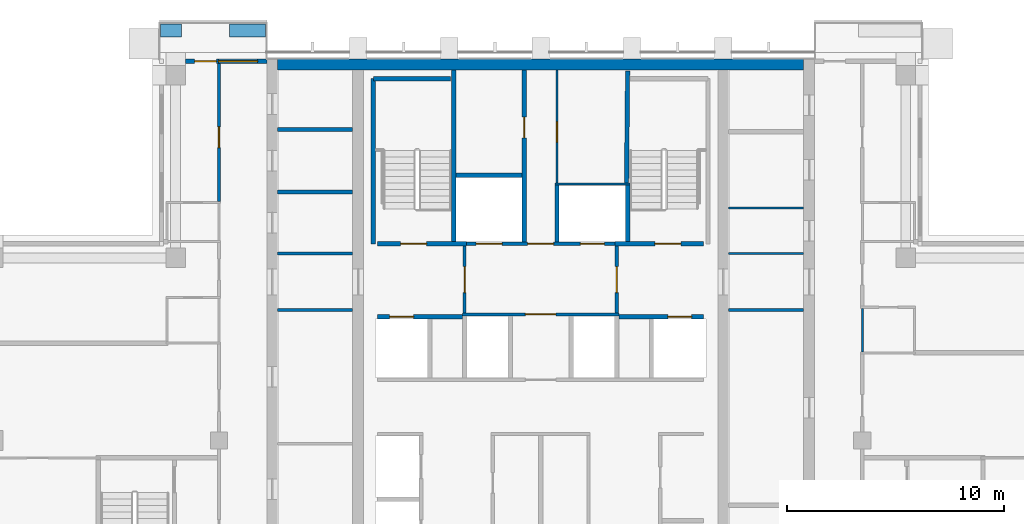
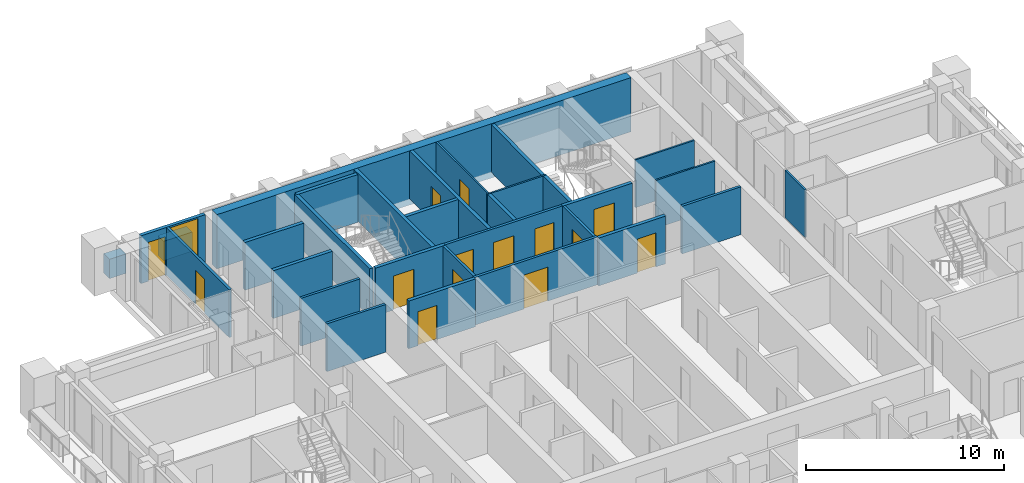
# One storey, part 12 of 18: 31 walls, 14 doors, 1 window, 15 openings.
"""IFC4 building model written with IfcOpenShell, lengths in metres."""

from ifc_helpers import new_model, si_unit, direction, frame, frame_2d, origin, place, context, subcontext, project, spatial, rectangle, extrude, material, layer, layer_set, type_object, element, fill, save


model = new_model("IFC4")

# Units and contexts
model_context = context("Model", 3, precision=1e-05, world=origin(), true_north=direction((0.0, 1.0)))
body_context = subcontext(model_context, "Body", "Model", "MODEL_VIEW")
ifc_project = project(units=[si_unit("LENGTHUNIT", "METRE"), si_unit("AREAUNIT", "SQUARE_METRE"), si_unit("VOLUMEUNIT", "CUBIC_METRE"), si_unit("PLANEANGLEUNIT", "RADIAN"), si_unit("MASSUNIT", "GRAM", prefix="KILO")], contexts=[model_context])

# Site, building, storey
site_placement = place(None, origin())
site = spatial("IfcSite", under=ifc_project, at=site_placement, CompositionType="ELEMENT")
building_placement = place(site_placement, origin())
building = spatial("IfcBuilding", under=site, at=building_placement, Name="Vermilion Ogive Tower", CompositionType="ELEMENT")
storey_placement = place(building_placement, frame((0.0, 0.0, 261.39990234375)))
storey = spatial("IfcBuildingStorey", under=building, at=storey_placement, Name="L69", CompositionType="ELEMENT", Elevation=261.39990234375)

# Walls
ifc_material_1 = material(Name="Concrete B60", Category="concrete")
ifc_layer_1 = layer(ifc_material_1, 0.5)
ifc_layer_set_1 = layer_set([ifc_layer_1], Name="Core wall 500 B60")
wall_type_1 = type_object("IfcWallType", Name="Core wall 500 B60", PredefinedType="SHEAR", material=ifc_layer_set_1)
wall_1_placement = place(storey_placement, frame((-12.10009765625, 21.5, -0.39990234375), z_axis=(0.0, 0.0, 1.0), x_axis=(1.0, 0.0, 0.0)))
element("IfcWall", 1, at=wall_1_placement, inside=storey, type_object=wall_type_1, Name="L69-CORE-N", PredefinedType="SHEAR", context=body_context, shape_type="SweptSolid", body=[
    extrude(rectangle(XDim=24.2001953125, YDim=0.5, at=frame_2d((12.10009765625, 0.0))), origin(), (0.0, 0.0, 1.0), 3.35009765625),
])
ifc_material_2 = material(Name="Gypsum board partition on steel studs", Category="steel")
ifc_layer_2 = layer(ifc_material_2, 0.10009765625)
ifc_layer_set_2 = layer_set([ifc_layer_2], Name="Partition 100 bath")
wall_type_2 = type_object("IfcWallType", Name="Partition 100 bath", PredefinedType="PARTITIONING", material=ifc_layer_set_2)
wall_2_placement = place(storey_placement, frame((14.800048828125, 8.280029296875, 0.0), z_axis=(0.0, 0.0, 1.0), x_axis=(0.0, 1.0, 0.0)))
element("IfcWall", 2, at=wall_2_placement, inside=storey, type_object=wall_type_2, Name="L69-W-W059", PredefinedType="PARTITIONING", context=body_context, shape_type="SweptSolid", body=[
    extrude(rectangle(XDim=2.0, YDim=0.10009765625, at=frame_2d((1.0, 0.0))), origin(), (0.0, 0.0, 1.0), 2.9501953125),
])
wall_3_placement = place(storey_placement, frame((0.64990234375, 16.0, 0.0), z_axis=(0.0, 0.0, 1.0), x_axis=(1.0, 0.0, 0.0)))
element("IfcWall", 3, at=wall_3_placement, inside=storey, type_object=wall_type_2, Name="L69-CK-W-W018", PredefinedType="PARTITIONING", context=body_context, shape_type="SweptSolid", body=[
    extrude(rectangle(XDim=3.4501953125, YDim=0.10009765625, at=frame_2d((1.72509765625, 0.0))), origin(), (0.0, 0.0, 1.0), 2.9501953125),
])

# Wall, opening, door
wall_4_placement = place(storey_placement, frame((0.75, 16.050048828125, 0.0), z_axis=(0.0, 0.0, 1.0), x_axis=(0.0, 1.0, 0.0)))
wall_4 = element("IfcWall", 4, at=wall_4_placement, inside=storey, type_object=wall_type_2, Name="L69-CK-W-W030", PredefinedType="PARTITIONING", context=body_context, shape_type="SweptSolid", body=[
    extrude(rectangle(XDim=5.198974609375, YDim=0.10009765625, at=frame_2d((2.599609375, 0.0))), origin(), (0.0, 0.0, 1.0), 2.9501953125),
])
opening_1_placement = place(wall_4_placement, frame((1.875, 0.0, 0.0)))
opening_1 = element("IfcOpeningElement", 5, at=opening_1_placement, cuts=wall_4, Name="Opening DAA668", PredefinedType="OPENING", context=body_context, shape_type="SweptSolid", body=[
    extrude(rectangle(XDim=0.949951171875, YDim=2.10009765625, at=frame_2d((0.47509765625, 1.050048828125))), frame((0.0, 0.06005859375, 0.0), z_axis=(0.0, -1.0, 0.0), x_axis=(1.0, 0.0, 0.0)), (0.0, 0.0, 1.0), 0.1201171875),
])
ifc_material_3 = material(Name="Timber door leaf", Category="wood")
door_type_1 = type_object("IfcDoorType", Name="Service door 950 x 2100 FD60", OperationType="SINGLE_SWING_LEFT", PredefinedType="DOOR", material=ifc_material_3)
door_1_placement = place(opening_1_placement, origin())
door_1 = element("IfcDoor", 6, at=door_1_placement, inside=storey, type_object=door_type_1, Name="L69-CK-D-D022", OperationType="SINGLE_SWING_LEFT", OverallHeight=2.10009765625, OverallWidth=0.949951171875, PredefinedType="DOOR", context=body_context, shape_type="SweptSolid", body=[
    extrude(rectangle(XDim=0.949951171875, YDim=2.10009765625, at=frame_2d((0.47509765625, 1.050048828125))), frame((0.0, 0.02490234375, 0.0), z_axis=(0.0, -1.0, 0.0), x_axis=(1.0, 0.0, 0.0)), (0.0, 0.0, 1.0), 0.050048828125),
])
fill(opening_1, door_1)

# Walls
for number, where, z_axis, x_axis, name in (
    (7, (8.65087890625, 12.800048828125, 0.0), (0.0, 0.0, 1.0), (1.0, 0.0, 0.0), "L69-CKE-W-W003"),
    (8, (8.65087890625, 14.89111328125, 0.0), (0.0, 0.0, 1.0), (1.0, 0.0, 0.0), "L69-CKE-W-W004"),
):
    element("IfcWall", number, at=place(storey_placement, frame(where, z_axis=z_axis, x_axis=x_axis)), inside=storey, type_object=wall_type_2, Name=name, PredefinedType="PARTITIONING", context=body_context, shape_type="SweptSolid", body=[
        extrude(rectangle(XDim=3.4482421875, YDim=0.10009765625, at=frame_2d((1.72412109375, 0.0))), origin(), (0.0, 0.0, 1.0), 2.9501953125),
    ])

# Wall, opening, door
ifc_material_4 = material(Name="Gypsum board partition on steel studs", Category="steel")
ifc_layer_3 = layer(ifc_material_4, 0.14990234375)
ifc_layer_set_3 = layer_set([ifc_layer_3], Name="Partition 150 corridor")
wall_type_3 = type_object("IfcWallType", Name="Partition 150 corridor", PredefinedType="PARTITIONING", material=ifc_layer_set_3)
wall_5_placement = place(storey_placement, frame((-14.800048828125, 15.199951171875, 0.0), z_axis=(0.0, 0.0, 1.0), x_axis=(0.0, 1.0, 0.0)))
wall_5 = element("IfcWall", 9, at=wall_5_placement, inside=storey, type_object=wall_type_3, Name="L69-W-W051", PredefinedType="PARTITIONING", context=body_context, shape_type="SweptSolid", body=[
    extrude(rectangle(XDim=6.35009765625, YDim=0.14990234375, at=frame_2d((3.175048828125, 0.0))), origin(), (0.0, 0.0, 1.0), 2.9501953125),
])
opening_2_placement = place(wall_5_placement, frame((2.47509765625, 0.0, 0.0)))
opening_2 = element("IfcOpeningElement", 10, at=opening_2_placement, cuts=wall_5, Name="Opening D5G6008", PredefinedType="OPENING", context=body_context, shape_type="SweptSolid", body=[
    extrude(rectangle(XDim=0.949951171875, YDim=2.10009765625, at=frame_2d((0.47509765625, 1.050048828125))), frame((0.0, 0.0849609375, 0.0), z_axis=(0.0, -1.0, 0.0), x_axis=(1.0, 0.0, 0.0)), (0.0, 0.0, 1.0), 0.169921875),
])
ifc_material_5 = material(Name="Timber door leaf", Category="wood")
door_type_2 = type_object("IfcDoorType", Name="Unit door 950 x 2100 FD30S", OperationType="SINGLE_SWING_LEFT", PredefinedType="DOOR", material=ifc_material_5)
door_2_placement = place(opening_2_placement, origin())
door_2 = element("IfcDoor", 11, at=door_2_placement, inside=storey, type_object=door_type_2, Name="L69-D-D008", OperationType="SINGLE_SWING_RIGHT", OverallHeight=2.10009765625, OverallWidth=0.949951171875, PredefinedType="DOOR", context=body_context, shape_type="SweptSolid", body=[
    extrude(rectangle(XDim=0.949951171875, YDim=2.10009765625, at=frame_2d((0.47509765625, 1.050048828125))), frame((0.0, 0.02490234375, 0.0), z_axis=(0.0, -1.0, 0.0), x_axis=(1.0, 0.0, 0.0)), (0.0, 0.0, 1.0), 0.050048828125),
])
fill(opening_2, door_2)

wall_6_placement = place(storey_placement, frame((-3.60009765625, 10.0, 0.0), z_axis=(0.0, 0.0, 1.0), x_axis=(1.0, 0.0, 0.0)))
wall_6 = element("IfcWall", 12, at=wall_6_placement, inside=storey, type_object=wall_type_3, Name="L69-CK-W-W014", PredefinedType="PARTITIONING", context=body_context, shape_type="SweptSolid", body=[
    extrude(rectangle(XDim=7.2001953125, YDim=0.14990234375, at=frame_2d((3.60009765625, 0.0))), origin(), (0.0, 0.0, 1.0), 2.9501953125),
])
opening_3_placement = place(wall_6_placement, frame((2.900146484375, 0.0, 0.0)))
opening_3 = element("IfcOpeningElement", 13, at=opening_3_placement, cuts=wall_6, Name="Opening DAA659", PredefinedType="OPENING", context=body_context, shape_type="SweptSolid", body=[
    extrude(rectangle(XDim=1.39990234375, YDim=2.10009765625, at=frame_2d((0.699951171875, 1.050048828125))), frame((0.0, 0.0849609375, 0.0), z_axis=(0.0, -1.0, 0.0), x_axis=(1.0, 0.0, 0.0)), (0.0, 0.0, 1.0), 0.169921875),
])
ifc_material_6 = material(Name="Timber door leaf", Category="wood")
door_type_3 = type_object("IfcDoorType", Name="Lobby door 1400 x 2100 FD60S", OperationType="SINGLE_SWING_LEFT", PredefinedType="DOOR", material=ifc_material_6)
door_3_placement = place(opening_3_placement, origin())
door_3 = element("IfcDoor", 14, at=door_3_placement, inside=storey, type_object=door_type_3, Name="L69-CK-D-D017", OperationType="SINGLE_SWING_RIGHT", OverallHeight=2.10009765625, OverallWidth=1.39990234375, PredefinedType="DOOR", context=body_context, shape_type="SweptSolid", body=[
    extrude(rectangle(XDim=1.39990234375, YDim=2.10009765625, at=frame_2d((0.699951171875, 1.050048828125))), frame((0.0, 0.02490234375, 0.0), z_axis=(0.0, -1.0, 0.0), x_axis=(1.0, 0.0, 0.0)), (0.0, 0.0, 1.0), 0.050048828125),
])
fill(opening_3, door_3)

# Wall, openings, doors
wall_7_placement = place(storey_placement, frame((-3.574951171875, 13.25, 0.0), z_axis=(0.0, 0.0, 1.0), x_axis=(1.0, 0.0, 0.0)))
wall_7 = element("IfcWall", 15, at=wall_7_placement, inside=storey, type_object=wall_type_3, Name="L69-CK-W-W016", PredefinedType="PARTITIONING", context=body_context, shape_type="SweptSolid", body=[
    extrude(rectangle(XDim=7.14990234375, YDim=0.14990234375, at=frame_2d((3.574951171875, 0.0))), origin(), (0.0, 0.0, 1.0), 2.9501953125),
])
opening_4_placement = place(wall_7_placement, frame((0.599853515625, 0.0, 0.0)))
opening_4 = element("IfcOpeningElement", 16, at=opening_4_placement, cuts=wall_7, Name="Opening DAA679", PredefinedType="OPENING", context=body_context, shape_type="SweptSolid", body=[
    extrude(rectangle(XDim=1.199951171875, YDim=2.10009765625, at=frame_2d((0.60009765625, 1.050048828125))), frame((0.0, 0.0849609375, 0.0), z_axis=(0.0, -1.0, 0.0), x_axis=(1.0, 0.0, 0.0)), (0.0, 0.0, 1.0), 0.169921875),
])
opening_5_placement = place(wall_7_placement, frame((5.39990234375, 0.0, 0.0)))
opening_5 = element("IfcOpeningElement", 17, at=opening_5_placement, cuts=wall_7, Name="Opening DAA678", PredefinedType="OPENING", context=body_context, shape_type="SweptSolid", body=[
    extrude(rectangle(XDim=1.10009765625, YDim=2.10009765625, at=frame_2d((0.550048828125, 1.050048828125))), frame((0.0, 0.0849609375, 0.0), z_axis=(0.0, -1.0, 0.0), x_axis=(1.0, 0.0, 0.0)), (0.0, 0.0, 1.0), 0.169921875),
])
opening_6_placement = place(wall_7_placement, frame((2.974853515625, 0.0, 0.0)))
opening_6 = element("IfcOpeningElement", 18, at=opening_6_placement, cuts=wall_7, Name="Opening DAA660", PredefinedType="OPENING", context=body_context, shape_type="SweptSolid", body=[
    extrude(rectangle(XDim=1.199951171875, YDim=2.10009765625, at=frame_2d((0.60009765625, 1.050048828125))), frame((0.0, 0.0849609375, 0.0), z_axis=(0.0, -1.0, 0.0), x_axis=(1.0, 0.0, 0.0)), (0.0, 0.0, 1.0), 0.169921875),
])
ifc_material_7 = material(Name="Stainless steel", Category="steel")
door_type_4 = type_object("IfcDoorType", Name="Lift landing door 1100 x 2100", OperationType="SLIDING_TO_LEFT", PredefinedType="DOOR", material=ifc_material_7)
door_4_placement = place(opening_5_placement, origin())
door_4 = element("IfcDoor", 19, at=door_4_placement, inside=storey, type_object=door_type_4, Name="L69-CK-D-D019", OperationType="SLIDING_TO_LEFT", OverallHeight=2.10009765625, OverallWidth=1.10009765625, PredefinedType="DOOR", context=body_context, shape_type="SweptSolid", body=[
    extrude(rectangle(XDim=1.10009765625, YDim=2.10009765625, at=frame_2d((0.550048828125, 1.050048828125))), frame((0.0, 0.02490234375, 0.0), z_axis=(0.0, -1.0, 0.0), x_axis=(1.0, 0.0, 0.0)), (0.0, 0.0, 1.0), 0.050048828125),
])
fill(opening_5, door_4)
ifc_material_8 = material(Name="Stainless steel", Category="steel")
door_type_5 = type_object("IfcDoorType", Name="Lift landing door 1200 x 2100", OperationType="SLIDING_TO_LEFT", PredefinedType="DOOR", material=ifc_material_8)
door_5_placement = place(opening_4_placement, origin())
door_5 = element("IfcDoor", 20, at=door_5_placement, inside=storey, type_object=door_type_5, Name="L69-CK-D-D018", OperationType="SLIDING_TO_RIGHT", OverallHeight=2.10009765625, OverallWidth=1.199951171875, PredefinedType="DOOR", context=body_context, shape_type="SweptSolid", body=[
    extrude(rectangle(XDim=1.199951171875, YDim=2.10009765625, at=frame_2d((0.60009765625, 1.050048828125))), frame((0.0, 0.02490234375, 0.0), z_axis=(0.0, -1.0, 0.0), x_axis=(1.0, 0.0, 0.0)), (0.0, 0.0, 1.0), 0.050048828125),
])
fill(opening_4, door_5)
ifc_material_9 = material(Name="Timber door leaf", Category="wood")
door_type_6 = type_object("IfcDoorType", Name="Service door 1200 x 2100 FD60", OperationType="SINGLE_SWING_LEFT", PredefinedType="DOOR", material=ifc_material_9)
door_6_placement = place(opening_6_placement, origin())
door_6 = element("IfcDoor", 21, at=door_6_placement, inside=storey, type_object=door_type_6, Name="L69-CK-D-D020", OperationType="SINGLE_SWING_RIGHT", OverallHeight=2.10009765625, OverallWidth=1.199951171875, PredefinedType="DOOR", context=body_context, shape_type="SweptSolid", body=[
    extrude(rectangle(XDim=1.199951171875, YDim=2.10009765625, at=frame_2d((0.60009765625, 1.050048828125))), frame((0.0, 0.02490234375, 0.0), z_axis=(0.0, -1.0, 0.0), x_axis=(1.0, 0.0, 0.0)), (0.0, 0.0, 1.0), 0.050048828125),
])
fill(opening_6, door_6)

# Wall, opening, door
wall_8_placement = place(storey_placement, frame((-3.5, 10.074951171875, 0.0), z_axis=(0.0, 0.0, 1.0), x_axis=(0.0, 1.0, 0.0)))
wall_8 = element("IfcWall", 22, at=wall_8_placement, inside=storey, type_object=wall_type_3, Name="L69-CK-W-W024", PredefinedType="PARTITIONING", context=body_context, shape_type="SweptSolid", body=[
    extrude(rectangle(XDim=3.074951171875, YDim=0.14990234375, at=frame_2d((1.53759765625, 0.0))), origin(), (0.0, 0.0, 1.0), 2.9501953125),
])
opening_7_placement = place(wall_8_placement, frame((0.925048828125, 0.0, 0.0)))
opening_7 = element("IfcOpeningElement", 23, at=opening_7_placement, cuts=wall_8, Name="Opening DAA656", PredefinedType="OPENING", context=body_context, shape_type="SweptSolid", body=[
    extrude(rectangle(XDim=1.199951171875, YDim=2.10009765625, at=frame_2d((0.60009765625, 1.050048828125))), frame((0.0, 0.0849609375, 0.0), z_axis=(0.0, -1.0, 0.0), x_axis=(1.0, 0.0, 0.0)), (0.0, 0.0, 1.0), 0.169921875),
])
ifc_material_10 = material(Name="Timber door leaf", Category="wood")
door_type_7 = type_object("IfcDoorType", Name="Lobby door 1200 x 2100 FD60S", OperationType="SINGLE_SWING_LEFT", PredefinedType="DOOR", material=ifc_material_10)
door_7_placement = place(opening_7_placement, origin())
door_7 = element("IfcDoor", 24, at=door_7_placement, inside=storey, type_object=door_type_7, Name="L69-CK-D-D023", OperationType="SINGLE_SWING_RIGHT", OverallHeight=2.10009765625, OverallWidth=1.199951171875, PredefinedType="DOOR", context=body_context, shape_type="SweptSolid", body=[
    extrude(rectangle(XDim=1.199951171875, YDim=2.10009765625, at=frame_2d((0.60009765625, 1.050048828125))), frame((0.0, 0.02490234375, 0.0), z_axis=(0.0, -1.0, 0.0), x_axis=(1.0, 0.0, 0.0)), (0.0, 0.0, 1.0), 0.050048828125),
])
fill(opening_7, door_7)

wall_9_placement = place(storey_placement, frame((3.5, 10.074951171875, 0.0), z_axis=(0.0, 0.0, 1.0), x_axis=(0.0, 1.0, 0.0)))
wall_9 = element("IfcWall", 25, at=wall_9_placement, inside=storey, type_object=wall_type_3, Name="L69-CK-W-W034", PredefinedType="PARTITIONING", context=body_context, shape_type="SweptSolid", body=[
    extrude(rectangle(XDim=3.074951171875, YDim=0.14990234375, at=frame_2d((1.53759765625, 0.0))), origin(), (0.0, 0.0, 1.0), 2.9501953125),
])
opening_8_placement = place(wall_9_placement, frame((0.925048828125, 0.0, 0.0)))
opening_8 = element("IfcOpeningElement", 26, at=opening_8_placement, cuts=wall_9, Name="Opening DAA657", PredefinedType="OPENING", context=body_context, shape_type="SweptSolid", body=[
    extrude(rectangle(XDim=1.199951171875, YDim=2.10009765625, at=frame_2d((0.60009765625, 1.050048828125))), frame((0.0, 0.0849609375, 0.0), z_axis=(0.0, -1.0, 0.0), x_axis=(1.0, 0.0, 0.0)), (0.0, 0.0, 1.0), 0.169921875),
])
door_8_placement = place(opening_8_placement, origin())
door_8 = element("IfcDoor", 27, at=door_8_placement, inside=storey, type_object=door_type_7, Name="L69-CK-D-D024", OperationType="SINGLE_SWING_LEFT", OverallHeight=2.10009765625, OverallWidth=1.199951171875, PredefinedType="DOOR", context=body_context, shape_type="SweptSolid", body=[
    extrude(rectangle(XDim=1.199951171875, YDim=2.10009765625, at=frame_2d((0.60009765625, 1.050048828125))), frame((0.0, 0.02490234375, 0.0), z_axis=(0.0, -1.0, 0.0), x_axis=(1.0, 0.0, 0.0)), (0.0, 0.0, 1.0), 0.050048828125),
])
fill(opening_8, door_8)

# Walls
for number, where, z_axis, x_axis, name in (
    (28, (-12.09912109375, 10.199951171875, 0.0), (0.0, 0.0, 1.0), (1.0, 0.0, 0.0), "L69-CKW-W-W003"),
    (29, (-12.09912109375, 12.800048828125, 0.0), (0.0, 0.0, 1.0), (1.0, 0.0, 0.0), "L69-CKW-W-W004"),
    (30, (8.65087890625, 10.199951171875, 0.0), (0.0, 0.0, 1.0), (1.0, 0.0, 0.0), "L69-CKE-W-W002"),
):
    element("IfcWall", number, at=place(storey_placement, frame(where, z_axis=z_axis, x_axis=x_axis)), inside=storey, type_object=wall_type_3, Name=name, PredefinedType="PARTITIONING", context=body_context, shape_type="SweptSolid", body=[
        extrude(rectangle(XDim=3.4482421875, YDim=0.14990234375, at=frame_2d((1.72412109375, 0.0))), origin(), (0.0, 0.0, 1.0), 2.9501953125),
    ])

# Wall, opening, door
ifc_material_11 = material(Name="Gypsum board partition on steel studs", Category="steel")
ifc_layer_4 = layer(ifc_material_11, 0.199951171875)
ifc_layer_set_4 = layer_set([ifc_layer_4], Name="Partition 200 party")
wall_type_4 = type_object("IfcWallType", Name="Partition 200 party", PredefinedType="PARTITIONING", material=ifc_layer_set_4)
wall_10_placement = place(storey_placement, frame((-7.5, 9.89990234375, 0.0), z_axis=(0.0, 0.0, 1.0), x_axis=(1.0, 0.0, 0.0)))
wall_10 = element("IfcWall", 31, at=wall_10_placement, inside=storey, type_object=wall_type_4, Name="L69-CK-W-W012", PredefinedType="PARTITIONING", context=body_context, shape_type="SweptSolid", body=[
    extrude(rectangle(XDim=3.89990234375, YDim=0.199951171875, at=frame_2d((1.949951171875, 0.0))), origin(), (0.0, 0.0, 1.0), 2.9501953125),
])
opening_9_placement = place(wall_10_placement, frame((0.550048828125, 0.0, 0.0)))
opening_9 = element("IfcOpeningElement", 32, at=opening_9_placement, cuts=wall_10, Name="Opening DAA676", PredefinedType="OPENING", context=body_context, shape_type="SweptSolid", body=[
    extrude(rectangle(XDim=1.10009765625, YDim=2.10009765625, at=frame_2d((0.550048828125, 1.050048828125))), frame((0.0, 0.10986328125, 0.0), z_axis=(0.0, -1.0, 0.0), x_axis=(1.0, 0.0, 0.0)), (0.0, 0.0, 1.0), 0.219970703125),
])
door_9_placement = place(opening_9_placement, origin())
door_9 = element("IfcDoor", 33, at=door_9_placement, inside=storey, type_object=door_type_4, Name="L69-CK-D-D013", OperationType="SLIDING_TO_RIGHT", OverallHeight=2.10009765625, OverallWidth=1.10009765625, PredefinedType="DOOR", context=body_context, shape_type="SweptSolid", body=[
    extrude(rectangle(XDim=1.10009765625, YDim=2.10009765625, at=frame_2d((0.550048828125, 1.050048828125))), frame((0.0, 0.02490234375, 0.0), z_axis=(0.0, -1.0, 0.0), x_axis=(1.0, 0.0, 0.0)), (0.0, 0.0, 1.0), 0.050048828125),
])
fill(opening_9, door_9)

wall_11_placement = place(storey_placement, frame((3.60009765625, 9.89990234375, 0.0), z_axis=(0.0, 0.0, 1.0), x_axis=(1.0, 0.0, 0.0)))
wall_11 = element("IfcWall", 34, at=wall_11_placement, inside=storey, type_object=wall_type_4, Name="L69-CK-W-W013", PredefinedType="PARTITIONING", context=body_context, shape_type="SweptSolid", body=[
    extrude(rectangle(XDim=3.89990234375, YDim=0.199951171875, at=frame_2d((1.949951171875, 0.0))), origin(), (0.0, 0.0, 1.0), 2.9501953125),
])
opening_10_placement = place(wall_11_placement, frame((2.25, 0.0, 0.0)))
opening_10 = element("IfcOpeningElement", 35, at=opening_10_placement, cuts=wall_11, Name="Opening DAA677", PredefinedType="OPENING", context=body_context, shape_type="SweptSolid", body=[
    extrude(rectangle(XDim=1.10009765625, YDim=2.10009765625, at=frame_2d((0.550048828125, 1.050048828125))), frame((0.0, 0.10986328125, 0.0), z_axis=(0.0, -1.0, 0.0), x_axis=(1.0, 0.0, 0.0)), (0.0, 0.0, 1.0), 0.219970703125),
])
door_10_placement = place(opening_10_placement, origin())
door_10 = element("IfcDoor", 36, at=door_10_placement, inside=storey, type_object=door_type_4, Name="L69-CK-D-D015", OperationType="SLIDING_TO_LEFT", OverallHeight=2.10009765625, OverallWidth=1.10009765625, PredefinedType="DOOR", context=body_context, shape_type="SweptSolid", body=[
    extrude(rectangle(XDim=1.10009765625, YDim=2.10009765625, at=frame_2d((0.550048828125, 1.050048828125))), frame((0.0, 0.02490234375, 0.0), z_axis=(0.0, -1.0, 0.0), x_axis=(1.0, 0.0, 0.0)), (0.0, 0.0, 1.0), 0.050048828125),
])
fill(opening_10, door_10)

# Wall
wall_12_placement = place(storey_placement, frame((-3.89990234375, 16.39990234375, 0.0), z_axis=(0.0, 0.0, 1.0), x_axis=(1.0, 0.0, 0.0)))
element("IfcWall", 37, at=wall_12_placement, inside=storey, type_object=wall_type_4, Name="L69-CK-W-W019", PredefinedType="PARTITIONING", context=body_context, shape_type="SweptSolid", body=[
    extrude(rectangle(XDim=3.0498046875, YDim=0.199951171875, at=frame_2d((1.52490234375, 0.0))), origin(), (0.0, 0.0, 1.0), 2.9501953125),
])

# Wall, opening, door
wall_13_placement = place(storey_placement, frame((-0.75, 13.324951171875, 0.0), z_axis=(0.0, 0.0, 1.0), x_axis=(0.0, 1.0, 0.0)))
wall_13 = element("IfcWall", 38, at=wall_13_placement, inside=storey, type_object=wall_type_4, Name="L69-CK-W-W027", PredefinedType="PARTITIONING", context=body_context, shape_type="SweptSolid", body=[
    extrude(rectangle(XDim=7.924072265625, YDim=0.199951171875, at=frame_2d((3.9619140625, 0.0))), origin(), (0.0, 0.0, 1.0), 2.9501953125),
])
opening_11_placement = place(wall_13_placement, frame((4.800048828125, 0.0, 0.0)))
opening_11 = element("IfcOpeningElement", 39, at=opening_11_placement, cuts=wall_13, Name="Opening DAA667", PredefinedType="OPENING", context=body_context, shape_type="SweptSolid", body=[
    extrude(rectangle(XDim=0.949951171875, YDim=2.10009765625, at=frame_2d((0.47509765625, 1.050048828125))), frame((0.0, 0.10986328125, 0.0), z_axis=(0.0, -1.0, 0.0), x_axis=(1.0, 0.0, 0.0)), (0.0, 0.0, 1.0), 0.219970703125),
])
door_11_placement = place(opening_11_placement, origin())
door_11 = element("IfcDoor", 40, at=door_11_placement, inside=storey, type_object=door_type_1, Name="L69-CK-D-D021", OperationType="SINGLE_SWING_RIGHT", OverallHeight=2.10009765625, OverallWidth=0.949951171875, PredefinedType="DOOR", context=body_context, shape_type="SweptSolid", body=[
    extrude(rectangle(XDim=0.949951171875, YDim=2.10009765625, at=frame_2d((0.47509765625, 1.050048828125))), frame((0.0, 0.02490234375, 0.0), z_axis=(0.0, -1.0, 0.0), x_axis=(1.0, 0.0, 0.0)), (0.0, 0.0, 1.0), 0.050048828125),
])
fill(opening_11, door_11)

# Walls
wall_14_placement = place(storey_placement, frame((0.75, 13.324951171875, 0.0), z_axis=(0.0, 0.0, 1.0), x_axis=(0.0, 1.0, 0.0)))
element("IfcWall", 41, at=wall_14_placement, inside=storey, type_object=wall_type_4, Name="L69-CK-W-W029", PredefinedType="PARTITIONING", context=body_context, shape_type="SweptSolid", body=[
    extrude(rectangle(XDim=2.625, YDim=0.199951171875, at=frame_2d((1.3125, 0.0))), origin(), (0.0, 0.0, 1.0), 2.9501953125),
])
for number, where, z_axis, x_axis, name in (
    (42, (-12.09912109375, 15.636962890625, 0.0), (0.0, 0.0, 1.0), (1.0, 0.0, 0.0), "L69-CKW-W-W005"),
    (43, (-12.09912109375, 18.509033203125, 0.0), (0.0, 0.0, 1.0), (1.0, 0.0, 0.0), "L69-CKW-W-W006"),
):
    element("IfcWall", number, at=place(storey_placement, frame(where, z_axis=z_axis, x_axis=x_axis)), inside=storey, type_object=wall_type_4, Name=name, PredefinedType="PARTITIONING", context=body_context, shape_type="SweptSolid", body=[
        extrude(rectangle(XDim=3.4482421875, YDim=0.199951171875, at=frame_2d((1.72412109375, 0.0))), origin(), (0.0, 0.0, 1.0), 2.9501953125),
    ])

# Wall, opening, door
ifc_material_12 = material(Name="Concrete B60", Category="concrete")
ifc_layer_5 = layer(ifc_material_12, 0.199951171875)
ifc_layer_set_5 = layer_set([ifc_layer_5], Name="Stair shaft wall 200 Concrete B60")
wall_type_5 = type_object("IfcWallType", Name="Stair shaft wall 200 Concrete B60", PredefinedType="SOLIDWALL", material=ifc_layer_set_5)
wall_15_placement = place(storey_placement, frame((-7.5, 13.25, 0.0), z_axis=(0.0, 0.0, 1.0), x_axis=(1.0, 0.0, 0.0)))
wall_15 = element("IfcWall", 44, at=wall_15_placement, inside=storey, type_object=wall_type_5, Name="L69-CK-W-W015", PredefinedType="SOLIDWALL", context=body_context, shape_type="SweptSolid", body=[
    extrude(rectangle(XDim=4.074951171875, YDim=0.199951171875, at=frame_2d((2.03759765625, 0.0))), origin(), (0.0, 0.0, 1.0), 2.9501953125),
])
opening_12_placement = place(wall_15_placement, frame((1.050048828125, 0.0, 0.0)))
opening_12 = element("IfcOpeningElement", 45, at=opening_12_placement, cuts=wall_15, Name="Opening DAA669", PredefinedType="OPENING", context=body_context, shape_type="SweptSolid", body=[
    extrude(rectangle(XDim=1.199951171875, YDim=2.10009765625, at=frame_2d((0.60009765625, 1.050048828125))), frame((0.0, 0.10986328125, 0.0), z_axis=(0.0, -1.0, 0.0), x_axis=(1.0, 0.0, 0.0)), (0.0, 0.0, 1.0), 0.219970703125),
])
ifc_material_13 = material(Name="Timber door leaf", Category="wood")
door_type_8 = type_object("IfcDoorType", Name="Stair door 1200 x 2100 FD60S", OperationType="SINGLE_SWING_LEFT", PredefinedType="DOOR", material=ifc_material_13)
door_12_placement = place(opening_12_placement, origin())
door_12 = element("IfcDoor", 46, at=door_12_placement, inside=storey, type_object=door_type_8, Name="L69-CK-D-D012", OperationType="SINGLE_SWING_LEFT", OverallHeight=2.10009765625, OverallWidth=1.199951171875, PredefinedType="DOOR", context=body_context, shape_type="SweptSolid", body=[
    extrude(rectangle(XDim=1.199951171875, YDim=2.10009765625, at=frame_2d((0.60009765625, 1.050048828125))), frame((0.0, 0.02490234375, 0.0), z_axis=(0.0, -1.0, 0.0), x_axis=(1.0, 0.0, 0.0)), (0.0, 0.0, 1.0), 0.050048828125),
])
fill(opening_12, door_12)

wall_16_placement = place(storey_placement, frame((3.425048828125, 13.25, 0.0), z_axis=(0.0, 0.0, 1.0), x_axis=(1.0, 0.0, 0.0)))
wall_16 = element("IfcWall", 47, at=wall_16_placement, inside=storey, type_object=wall_type_5, Name="L69-CK-W-W017", PredefinedType="SOLIDWALL", context=body_context, shape_type="SweptSolid", body=[
    extrude(rectangle(XDim=4.074951171875, YDim=0.199951171875, at=frame_2d((2.03759765625, 0.0))), origin(), (0.0, 0.0, 1.0), 2.9501953125),
])
opening_13_placement = place(wall_16_placement, frame((1.824951171875, 0.0, 0.0)))
opening_13 = element("IfcOpeningElement", 48, at=opening_13_placement, cuts=wall_16, Name="Opening DAA670", PredefinedType="OPENING", context=body_context, shape_type="SweptSolid", body=[
    extrude(rectangle(XDim=1.199951171875, YDim=2.10009765625, at=frame_2d((0.60009765625, 1.050048828125))), frame((0.0, 0.10986328125, 0.0), z_axis=(0.0, -1.0, 0.0), x_axis=(1.0, 0.0, 0.0)), (0.0, 0.0, 1.0), 0.219970703125),
])
door_13_placement = place(opening_13_placement, origin())
door_13 = element("IfcDoor", 49, at=door_13_placement, inside=storey, type_object=door_type_8, Name="L69-CK-D-D014", OperationType="SINGLE_SWING_RIGHT", OverallHeight=2.10009765625, OverallWidth=1.199951171875, PredefinedType="DOOR", context=body_context, shape_type="SweptSolid", body=[
    extrude(rectangle(XDim=1.199951171875, YDim=2.10009765625, at=frame_2d((0.60009765625, 1.050048828125))), frame((0.0, 0.02490234375, 0.0), z_axis=(0.0, -1.0, 0.0), x_axis=(1.0, 0.0, 0.0)), (0.0, 0.0, 1.0), 0.050048828125),
])
fill(opening_13, door_13)

# Walls
wall_17_placement = place(storey_placement, frame((-4.0, 13.35009765625, 0.0), z_axis=(0.0, 0.0, 1.0), x_axis=(0.0, 1.0, 0.0)))
element("IfcWall", 50, at=wall_17_placement, inside=storey, type_object=wall_type_5, Name="L69-CK-W-W022", PredefinedType="SOLIDWALL", context=body_context, shape_type="SweptSolid", body=[
    extrude(rectangle(XDim=7.89892578125, YDim=0.199951171875, at=frame_2d((3.949462890625, 0.0))), origin(), (0.0, 0.0, 1.0), 2.9501953125),
])
wall_18_placement = place(storey_placement, frame((4.0, 13.35009765625, 0.0), z_axis=(0.0, 0.0, 1.0), x_axis=(0.0, 1.0, 0.0)))
element("IfcWall", 51, at=wall_18_placement, inside=storey, type_object=wall_type_5, Name="L69-CK-W-W035", PredefinedType="SOLIDWALL", context=body_context, shape_type="SweptSolid", body=[
    extrude(rectangle(XDim=2.599853515625, YDim=0.199951171875, at=frame_2d((1.2998046875, 0.0))), origin(), (0.0, 0.0, 1.0), 2.9501953125),
])
wall_19_placement = place(storey_placement, frame((3.949951171875, 16.050048828125, 0.0), z_axis=(0.0, 0.0, 1.0), x_axis=(0.009719787395, 0.999952761751, 0.0)))
element("IfcWall", 52, at=wall_19_placement, inside=storey, type_object=wall_type_5, Name="L69-CK-W-W036", PredefinedType="SOLIDWALL", context=body_context, shape_type="SweptSolid", body=[
    extrude(rectangle(XDim=5.149169921875, YDim=0.199951171875, at=frame_2d((2.57470703125, 0.0))), origin(), (0.0, 0.0, 1.0), 2.9501953125),
])
wall_20_placement = place(storey_placement, frame((-7.699951171875, 13.25, 0.0), z_axis=(0.0, 0.0, 1.0), x_axis=(0.0, 1.0, 0.0)))
element("IfcWall", 53, at=wall_20_placement, inside=storey, type_object=wall_type_5, Name="L69-SW-R017-W1", PredefinedType="SOLIDWALL", context=body_context, shape_type="SweptSolid", body=[
    extrude(rectangle(XDim=7.60009765625, YDim=0.199951171875, at=frame_2d((3.800048828125, 0.0))), origin(), (0.0, 0.0, 1.0), 2.9501953125),
])
wall_21_placement = place(storey_placement, frame((-7.699951171875, 20.85009765625, 0.0), z_axis=(0.0, 0.0, 1.0), x_axis=(1.0, 0.0, 0.0)))
element("IfcWall", 54, at=wall_21_placement, inside=storey, type_object=wall_type_5, Name="L69-SW-R017-N1", PredefinedType="SOLIDWALL", context=body_context, shape_type="SweptSolid", body=[
    extrude(rectangle(XDim=3.550048828125, YDim=0.199951171875, at=frame_2d((1.77490234375, 0.0))), origin(), (0.0, 0.0, 1.0), 2.9501953125),
])
ifc_material_14 = material(Name="Concrete B40", Category="concrete")
ifc_layer_6 = layer(ifc_material_14, 0.60009765625)
ifc_layer_set_6 = layer_set([ifc_layer_6], Name="Structural planter")
wall_type_6 = type_object("IfcWallType", Name="Structural planter", PredefinedType="USERDEFINED", material=ifc_layer_set_6)
wall_22_placement = place(storey_placement, frame((-12.659912109375, 23.068115234375, -0.039794921875), z_axis=(0.0, 0.0, 1.0), x_axis=(-1.0, 0.0, 0.0)))
element("IfcWall", 55, at=wall_22_placement, inside=storey, type_object=wall_type_6, Name="Planter N201A1", ObjectType="PLANTER", PredefinedType="USERDEFINED", context=body_context, shape_type="SweptSolid", body=[
    extrude(rectangle(XDim=1.6650390625, YDim=0.60009765625, at=frame_2d((0.83251953125, 0.0))), origin(), (0.0, 0.0, 1.0), 1.199951171875),
])
wall_23_placement = place(storey_placement, frame((-16.52490234375, 23.068115234375, -0.039794921875), z_axis=(0.0, 0.0, 1.0), x_axis=(-1.0, 0.0, 0.0)))
element("IfcWall", 56, at=wall_23_placement, inside=storey, type_object=wall_type_6, Name="Planter N201A2", ObjectType="PLANTER", PredefinedType="USERDEFINED", context=body_context, shape_type="SweptSolid", body=[
    extrude(rectangle(XDim=0.965087890625, YDim=0.60009765625, at=frame_2d((0.482421875, 0.0))), origin(), (0.0, 0.0, 1.0), 1.199951171875),
])

# Wall, openings, door, window
ifc_material_15 = material(Name="Aluminium window wall framing", Category="aluminium")
ifc_layer_7 = layer(ifc_material_15, 0.199951171875)
ifc_layer_set_7 = layer_set([ifc_layer_7], Name="Window wall")
wall_type_7 = type_object("IfcWallType", Name="Window wall", PredefinedType="STANDARD", material=ifc_layer_set_7)
wall_24_placement = place(storey_placement, frame((-12.60009765625, 21.64990234375, 0.0), z_axis=(0.0, 0.0, 1.0), x_axis=(-1.0, 0.0, 0.0)))
wall_24 = element("IfcWall", 57, at=wall_24_placement, inside=storey, type_object=wall_type_7, Name="Window wall N21", PredefinedType="STANDARD", context=body_context, shape_type="SweptSolid", body=[
    extrude(rectangle(XDim=3.75, YDim=0.199951171875, at=frame_2d((1.875, 0.0))), origin(), (0.0, 0.0, 1.0), 2.9501953125),
])
opening_14_placement = place(wall_24_placement, frame((0.425048828125, 0.0, 0.199951171875)))
opening_14 = element("IfcOpeningElement", 58, at=opening_14_placement, cuts=wall_24, Name="Opening W1-N296", PredefinedType="OPENING", context=body_context, shape_type="SweptSolid", body=[
    extrude(rectangle(XDim=1.800048828125, YDim=2.64990234375, at=frame_2d((0.89990234375, 1.324951171875))), frame((0.0, 0.10986328125, 0.0), z_axis=(0.0, -1.0, 0.0), x_axis=(1.0, 0.0, 0.0)), (0.0, 0.0, 1.0), 0.219970703125),
])
opening_15_placement = place(wall_24_placement, frame((2.324951171875, 0.0, 0.0)))
opening_15 = element("IfcOpeningElement", 59, at=opening_15_placement, cuts=wall_24, Name="Opening D1-N296", PredefinedType="OPENING", context=body_context, shape_type="SweptSolid", body=[
    extrude(rectangle(XDim=1.0, YDim=2.39990234375, at=frame_2d((0.5, 1.199951171875))), frame((0.0, 0.10986328125, 0.0), z_axis=(0.0, -1.0, 0.0), x_axis=(1.0, 0.0, 0.0)), (0.0, 0.0, 1.0), 0.219970703125),
])
ifc_material_16 = material(Name="Aluminium framed glazed door", Category="aluminium")
door_type_9 = type_object("IfcDoorType", Name="Balcony door D1", OperationType="SINGLE_SWING_LEFT", PredefinedType="DOOR", material=ifc_material_16)
door_14_placement = place(opening_15_placement, origin())
door_14 = element("IfcDoor", 60, at=door_14_placement, inside=storey, type_object=door_type_9, Name="Balcony door N296", OperationType="SINGLE_SWING_LEFT", OverallHeight=2.39990234375, OverallWidth=1.0, PredefinedType="DOOR", context=body_context, shape_type="SweptSolid", body=[
    extrude(rectangle(XDim=1.0, YDim=2.39990234375, at=frame_2d((0.5, 1.199951171875))), frame((0.0, 0.02490234375, 0.0), z_axis=(0.0, -1.0, 0.0), x_axis=(1.0, 0.0, 0.0)), (0.0, 0.0, 1.0), 0.050048828125),
])
fill(opening_15, door_14)
ifc_material_17 = material(Name="Aluminium framed double glazing", Category="aluminium")
window_type = type_object("IfcWindowType", Name="Guest window W1", PartitioningType="SINGLE_PANEL", PredefinedType="WINDOW", material=ifc_material_17)
window_placement = place(opening_14_placement, origin())
window = element("IfcWindow", 61, at=window_placement, inside=storey, type_object=window_type, Name="Window N296", OverallHeight=2.64990234375, OverallWidth=1.800048828125, PartitioningType="SINGLE_PANEL", PredefinedType="WINDOW", context=body_context, shape_type="SweptSolid", body=[
    extrude(rectangle(XDim=1.800048828125, YDim=2.64990234375, at=frame_2d((0.89990234375, 1.324951171875))), frame((0.0, 0.030029296875, 0.0), z_axis=(0.0, -1.0, 0.0), x_axis=(1.0, 0.0, 0.0)), (0.0, 0.0, 1.0), 0.06005859375),
])
fill(opening_14, window)

save(model, "model.ifc")
